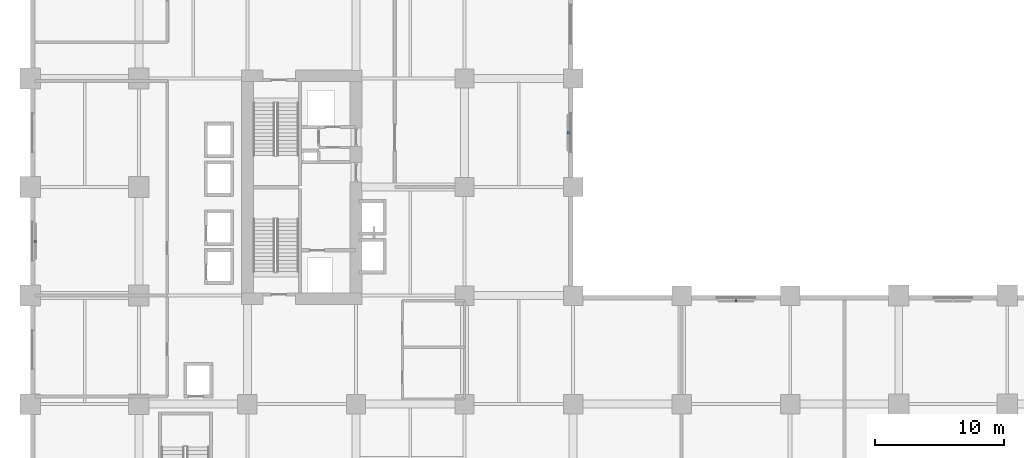
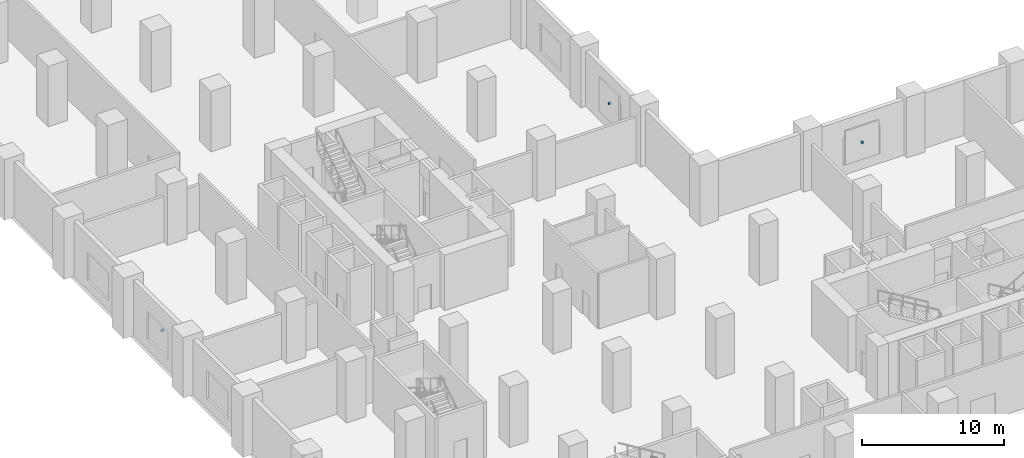
# One storey, part 17 of 23: 3 discrete accessories.
"""IFC4 building model written with IfcOpenShell, lengths in metres."""

from ifc_helpers import new_model, si_unit, direction, frame, origin, origin_2d, place, context, subcontext, project, spatial, rectangle, extrude, material, type_object, element, save


model = new_model("IFC4")

# Units and contexts
model_context = context("Model", 3, precision=1e-05, world=origin(), true_north=direction((0.0, 1.0)))
body_context = subcontext(model_context, "Body", "Model", "MODEL_VIEW")
ifc_project = project(units=[si_unit("LENGTHUNIT", "METRE"), si_unit("AREAUNIT", "SQUARE_METRE"), si_unit("VOLUMEUNIT", "CUBIC_METRE"), si_unit("PLANEANGLEUNIT", "RADIAN"), si_unit("MASSUNIT", "GRAM", prefix="KILO")], contexts=[model_context])

# Site, building, storey
site_placement = place(None, origin())
site = spatial("IfcSite", under=ifc_project, at=site_placement, CompositionType="ELEMENT")
building_placement = place(site_placement, origin())
building = spatial("IfcBuilding", under=site, at=building_placement, Name="Koriwani Terraces Tower", CompositionType="ELEMENT")
storey_placement = place(building_placement, frame((0.0, 0.0, 20.800048828125)))
storey = spatial("IfcBuildingStorey", under=building, at=storey_placement, Name="L04", CompositionType="ELEMENT", Elevation=20.800048828125)

# Discrete accessories
ifc_material = material(Name="Steel ASTM A572 Grade 50", Category="steel")
discrete_accessory_type = type_object("IfcDiscreteAccessoryType", Name="BAGUETTE_STANDOFF_BRACKET", PredefinedType="BRACKET", material=ifc_material)
for number, where, z_axis, x_axis, name in (
    (1, (0.389892578125, 46.199951171875, 2.28515625), (0.0, 0.0, 1.0), (0.0, 1.0, 0.0), "L04 Terracotta Baguette Bracket (W-15)"),
    (2, (41.610107421875, 54.60009765625, 2.28515625), (0.0, 0.0, 1.0), (0.0, -1.0, 0.0), "L04 Terracotta Baguette Bracket (NW_IN-5)"),
    (3, (54.60009765625, 41.610107421875, 2.28515625), (0.0, 0.0, 1.0), (1.0, 0.0, 0.0), "L04 Terracotta Baguette Bracket (NE-5)"),
):
    element("IfcDiscreteAccessory", number, at=place(storey_placement, frame(where, z_axis=z_axis, x_axis=x_axis)), inside=storey, type_object=discrete_accessory_type, Name=name, PredefinedType="BRACKET", context=body_context, shape_type="SweptSolid", body=[
        extrude(rectangle(XDim=0.159912109375, YDim=0.199951171875, at=origin_2d()), origin(), (0.0, 0.0, 1.0), 0.179931640625),
    ])

save(model, "model.ifc")
